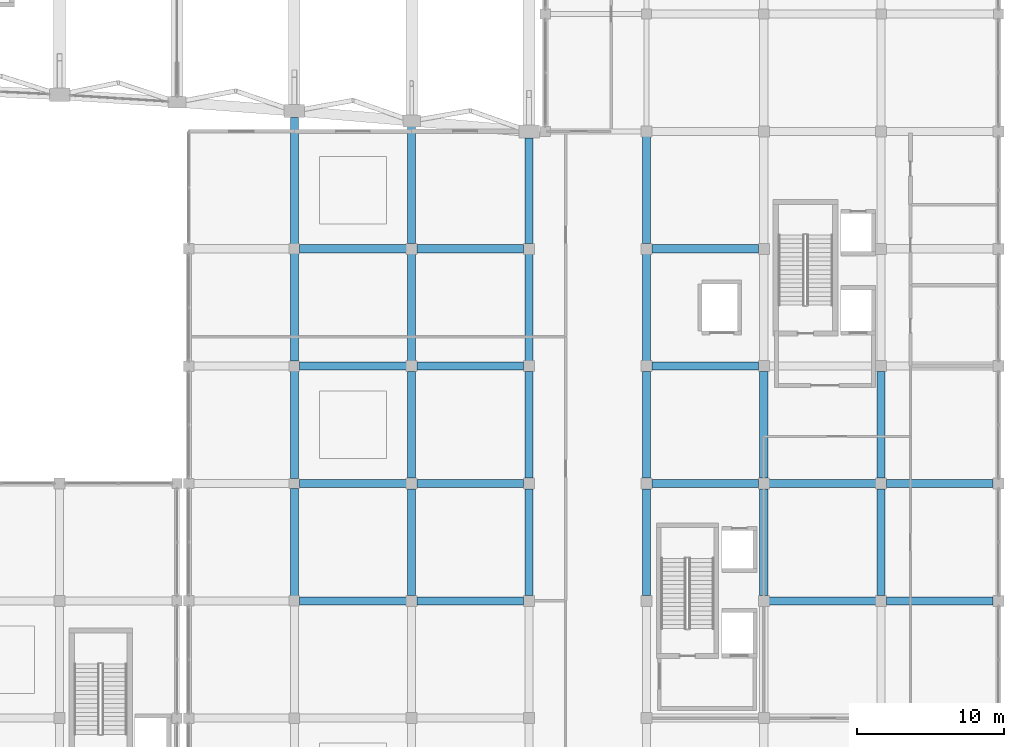
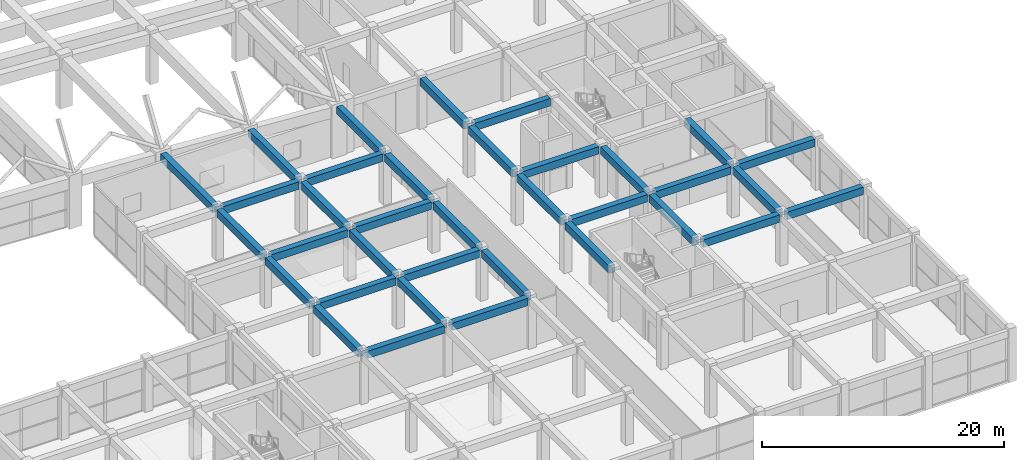
# One storey, part 35 of 69: 35 beams.
"""IFC4 building model written with IfcOpenShell, lengths in metres."""

import ifcopenshell
import ifcopenshell.guid

model = None  # the IFC model being written
_history = None  # IfcOwnerHistory: only IFC2X3 demands one
_inside = {}  # id of a spatial element -> (the spatial element, [elements in it])
_under = {}  # id of a project, library or spatial element -> (it, [spatial elements below it])
_declared = {}  # id of a project -> (the project, [libraries it declares])
_typed = {}  # id of a type object -> (the type object, [elements of that type])
_made_of = {}  # id of a material, layer set ... -> (it, [elements and type objects made of it])


def new_model(schema):
    """Start an empty IFC model of exactly this schema.

    Asked for "IFC4X3", IfcOpenShell would pick the latest addendum, in which some entities
    have other attributes; the version numbers below select the first issue.
    IFC2X3 requires an IfcOwnerHistory on every rooted entity: one is made here for all.
    """
    global model, _history
    if schema == "IFC4X3":
        model = ifcopenshell.file(schema_version=(4, 3, 0, 0))
    else:
        model = ifcopenshell.file(schema=schema)
    _inside.clear()
    _under.clear()
    _declared.clear()
    _typed.clear()
    _made_of.clear()
    _history = None
    if model.schema == "IFC2X3":
        org = make("IfcOrganization", Name="unknown")
        user = make(
            "IfcPersonAndOrganization",
            ThePerson=make("IfcPerson", FamilyName="unknown"),
            TheOrganization=org,
        )
        app = make(
            "IfcApplication",
            ApplicationDeveloper=org,
            Version="unknown",
            ApplicationFullName="unknown",
            ApplicationIdentifier="unknown",
        )
        _history = make(
            "IfcOwnerHistory",
            OwningUser=user,
            OwningApplication=app,
            ChangeAction="ADDED",
            CreationDate=0,
        )
    return model


def make(cls, **values):
    """One entity of the class cls with the attributes given. An attribute that is None is left unset."""
    return model.create_entity(
        cls, **{name: value for name, value in values.items() if value is not None}
    )


def rooted(cls, **values):
    """An entity with a GlobalId (a new one), such as an element, a storey or a relation."""
    return make(cls, GlobalId=ifcopenshell.guid.new(), OwnerHistory=_history, **values)


def si_unit(unit_type, name, prefix=None):
    """IfcSIUnit, for example si_unit("LENGTHUNIT", "METRE", prefix="MILLI")."""
    return make("IfcSIUnit", UnitType=unit_type, Prefix=prefix, Name=name)


def assignment(units):
    """IfcUnitAssignment: the units of a project."""
    return None if units is None else make("IfcUnitAssignment", Units=units)


def point(xyz):
    """IfcCartesianPoint."""
    return None if xyz is None else make("IfcCartesianPoint", Coordinates=xyz)


def direction(xyz):
    """IfcDirection."""
    return None if xyz is None else make("IfcDirection", DirectionRatios=xyz)


def frame(location, z_axis=None, x_axis=None):
    """IfcAxis2Placement3D, a coordinate frame: its origin and axes. An axis left out is left unset."""
    return make(
        "IfcAxis2Placement3D",
        Location=point(location),
        Axis=direction(z_axis),
        RefDirection=direction(x_axis),
    )


def frame_2d(location, x_axis=None):
    """IfcAxis2Placement2D, a coordinate frame in the plane: its origin and x axis."""
    return make(
        "IfcAxis2Placement2D", Location=point(location), RefDirection=direction(x_axis)
    )


def origin():
    """The frame at (0, 0, 0) with its axes left unset."""
    return frame((0.0, 0.0, 0.0))


def origin_2d():
    """The frame at (0, 0) in the plane with its x axis left unset."""
    return frame_2d((0.0, 0.0))


def place(relative_to, where):
    """IfcLocalPlacement: puts the frame where relative to a parent placement (None: the world)."""
    return make(
        "IfcLocalPlacement", PlacementRelTo=relative_to, RelativePlacement=where
    )


def context(
    kind, dimensions, precision=None, world=None, true_north=None, identifier=None
):
    """IfcGeometricRepresentationContext, for example the 3D "Model" context."""
    return make(
        "IfcGeometricRepresentationContext",
        ContextIdentifier=identifier,
        ContextType=kind,
        CoordinateSpaceDimension=dimensions,
        Precision=precision,
        WorldCoordinateSystem=world,
        TrueNorth=true_north,
    )


def subcontext(parent, identifier, kind, view, scale=None):
    """IfcGeometricRepresentationSubContext, for example "Body" below "Model"."""
    return make(
        "IfcGeometricRepresentationSubContext",
        ContextIdentifier=identifier,
        ContextType=kind,
        ParentContext=parent,
        TargetScale=scale,
        TargetView=view,
    )


def project(units=None, contexts=None):
    """IfcProject with its units and contexts."""
    return rooted(
        "IfcProject",
        Name="project",
        RepresentationContexts=contexts,
        UnitsInContext=assignment(units),
    )


def spatial(cls, under=None, at=None, **own):
    """A site, building, storey or space (cls), placed at a placement, below another one or the project."""
    s = rooted(cls, ObjectPlacement=at, **own)
    if under is not None:
        _under.setdefault(under.id(), (under, []))[1].append(s)
    return s


def profile(cls, at=None, kind="AREA", **sizes):
    """A parametric profile (cls). Its sizes go by their IFC names, for example OverallWidth=200.0."""
    return make(cls, ProfileType=kind, Position=at, **sizes)


def rectangle(**sizes):
    """IfcRectangleProfileDef."""
    return profile("IfcRectangleProfileDef", **sizes)


def extrude(swept, where, along, depth):
    """IfcExtrudedAreaSolid: the profile swept, set in the frame where, extruded along a direction by depth."""
    return make(
        "IfcExtrudedAreaSolid",
        SweptArea=swept,
        Position=where,
        ExtrudedDirection=direction(along),
        Depth=depth,
    )


def shape(context_of_items, identifier, shape_type, items):
    """IfcShapeRepresentation: the items that make up one representation, for example the "Body"."""
    return make(
        "IfcShapeRepresentation",
        ContextOfItems=context_of_items,
        RepresentationIdentifier=identifier,
        RepresentationType=shape_type,
        Items=items,
    )


def material(Name=None, Category=None):
    """IfcMaterial."""
    return make("IfcMaterial", Name=Name, Category=Category)


def material_profile(
    of_material, cross_section, Name=None, Category=None, Priority=None
):
    """IfcMaterialProfile: a cross section and its material."""
    return make(
        "IfcMaterialProfile",
        Name=Name,
        Material=of_material,
        Profile=cross_section,
        Priority=Priority,
        Category=Category,
    )


def profile_set(profiles, Name=None, composite=None):
    """IfcMaterialProfileSet."""
    return make(
        "IfcMaterialProfileSet",
        Name=Name,
        MaterialProfiles=profiles,
        CompositeProfile=composite,
    )


def made_of(thing, what):
    """Note that an element or type object is made of a material, layer set ...; save() writes the relation."""
    if what is not None:
        _made_of.setdefault(what.id(), (what, []))[1].append(thing)
    return thing


def type_object(cls, material=None, **own):
    """A type object (cls), such as IfcWallType, which elements share."""
    return made_of(rooted(cls, **own), material)


def element(
    cls,
    number,
    at=None,
    inside=None,
    cuts=None,
    type_object=None,
    material=None,
    context=None,
    identifier="Body",
    shape_type=None,
    held_by="IfcProductDefinitionShape",
    body=None,
    shapes=None,
    **own,
):
    """One element of the class cls, such as IfcWall. Its Tag is "e" and its number.

    at: its placement. inside: the storey or other place that contains it. cuts: it is an
    opening in that element (IfcRelVoidsElement). A single representation is given by context,
    identifier, shape_type and body (its items); several are given by shapes. held_by: the class
    of the entity that holds the representations. save() writes the other relations.
    """
    e = rooted(cls, Tag="e%d" % number, ObjectPlacement=at, **own)
    if body is not None:
        shapes = [shape(context, identifier, shape_type, body)]
    if shapes is not None:
        e.Representation = make(held_by, Representations=shapes)
    if inside is not None:
        _inside.setdefault(inside.id(), (inside, []))[1].append(e)
    if cuts is not None:
        rooted(
            "IfcRelVoidsElement", RelatingBuildingElement=cuts, RelatedOpeningElement=e
        )
    if type_object is not None:
        _typed.setdefault(type_object.id(), (type_object, []))[1].append(e)
    return made_of(e, material)


def aggregate(whole, parts):
    """IfcRelAggregates: a whole, such as a stair, and the parts it consists of."""
    return rooted("IfcRelAggregates", RelatingObject=whole, RelatedObjects=parts)


def save(model, path):
    """Write the relations noted so far, then the file.

    IfcRelAggregates (storeys below a building ...), IfcRelContainedInSpatialStructure (elements
    in a storey), IfcRelDefinesByType, IfcRelAssociatesMaterial and IfcRelDeclares: one each for
    every whole, place, type object, material and project.
    """
    for whole, parts in _under.values():
        aggregate(whole, parts)
    for where, things in _inside.values():
        rooted(
            "IfcRelContainedInSpatialStructure",
            RelatedElements=things,
            RelatingStructure=where,
        )
    for kind, things in _typed.values():
        rooted("IfcRelDefinesByType", RelatedObjects=things, RelatingType=kind)
    for what, things in _made_of.values():
        rooted("IfcRelAssociatesMaterial", RelatedObjects=things, RelatingMaterial=what)
    for by, libraries in _declared.values():
        rooted("IfcRelDeclares", RelatingContext=by, RelatedDefinitions=libraries)
    model.write(path)


model = new_model("IFC4")

# Units and contexts
model_context = context("Model", 3, precision=1e-05, world=origin(), true_north=direction((0.0, 1.0)))
body_context = subcontext(model_context, "Body", "Model", "MODEL_VIEW")
ifc_project = project(units=[si_unit("LENGTHUNIT", "METRE"), si_unit("AREAUNIT", "SQUARE_METRE"), si_unit("VOLUMEUNIT", "CUBIC_METRE"), si_unit("PLANEANGLEUNIT", "RADIAN"), si_unit("MASSUNIT", "GRAM", prefix="KILO")], contexts=[model_context])

# Site, building, storey
site_placement = place(None, origin())
site = spatial("IfcSite", under=ifc_project, at=site_placement, CompositionType="ELEMENT")
building_placement = place(site_placement, origin())
building = spatial("IfcBuilding", under=site, at=building_placement, Name="Kenh Van Central Station", CompositionType="ELEMENT")
storey_placement = place(building_placement, frame((0.0, 0.0, 5.39990234375)))
storey = spatial("IfcBuildingStorey", under=building, at=storey_placement, Name="L01", CompositionType="ELEMENT", Elevation=5.39990234375)

# Beams
ifc_material = material(Name="Concrete C35/45", Category="concrete")
ifc_material_profile = material_profile(ifc_material, rectangle(XDim=0.550048828125, YDim=0.75, at=origin_2d()), Name="RC 550x750")
ifc_profile_set = profile_set([ifc_material_profile], Name="Concrete C35/45")
beam_type = type_object("IfcBeamType", Name="BM-RC-550x750", PredefinedType="BEAM", material=ifc_profile_set)
beam_1_placement = place(storey_placement, frame((128.340087890625, 32.0, 4.76513671875), z_axis=(1.0, 0.0, 0.0), x_axis=(0.0, 1.0, 0.0)))
element("IfcBeam", 1, at=beam_1_placement, inside=storey, type_object=beam_type, Name="L01 beam 0683", PredefinedType="BEAM", context=body_context, shape_type="SweptSolid", body=[
    extrude(rectangle(XDim=0.550048828125, YDim=0.75, at=origin_2d()), origin(), (0.0, 0.0, 1.0), 7.294921875),
])
for number, where, z_axis, x_axis, name in (
    (2, (136.364990234375, 32.0, 4.76513671875), (1.0, 0.0, 0.0), (0.0, 1.0, 0.0), "L01 beam 0684"),
    (3, (160.364990234375, 32.0, 4.76513671875), (1.0, 0.0, 0.0), (0.0, 1.0, 0.0), "L01 beam 0685"),
    (4, (168.364990234375, 32.0, 4.76513671875), (1.0, 0.0, 0.0), (0.0, 1.0, 0.0), "L01 beam 0686"),
):
    element("IfcBeam", number, at=place(storey_placement, frame(where, z_axis=z_axis, x_axis=x_axis)), inside=storey, type_object=beam_type, Name=name, PredefinedType="BEAM", context=body_context, shape_type="SweptSolid", body=[
        extrude(rectangle(XDim=0.550048828125, YDim=0.75, at=origin_2d()), origin(), (0.0, 0.0, 1.0), 7.27001953125),
    ])
beam_2_placement = place(storey_placement, frame((128.340087890625, 40.0, 4.76513671875), z_axis=(1.0, 0.0, 0.0), x_axis=(0.0, 1.0, 0.0)))
element("IfcBeam", 5, at=beam_2_placement, inside=storey, type_object=beam_type, Name="L01 beam 0702", PredefinedType="BEAM", context=body_context, shape_type="SweptSolid", body=[
    extrude(rectangle(XDim=0.550048828125, YDim=0.75, at=origin_2d()), origin(), (0.0, 0.0, 1.0), 7.294921875),
])
for number, where, z_axis, x_axis, name in (
    (6, (136.364990234375, 40.0, 4.76513671875), (1.0, 0.0, 0.0), (0.0, 1.0, 0.0), "L01 beam 0703"),
    (7, (152.364990234375, 40.0, 4.76513671875), (1.0, 0.0, 0.0), (0.0, 1.0, 0.0), "L01 beam 0704"),
    (8, (160.364990234375, 40.0, 4.76513671875), (1.0, 0.0, 0.0), (0.0, 1.0, 0.0), "L01 beam 0705"),
    (9, (168.364990234375, 40.0, 4.76513671875), (1.0, 0.0, 0.0), (0.0, 1.0, 0.0), "L01 beam 0706"),
):
    element("IfcBeam", number, at=place(storey_placement, frame(where, z_axis=z_axis, x_axis=x_axis)), inside=storey, type_object=beam_type, Name=name, PredefinedType="BEAM", context=body_context, shape_type="SweptSolid", body=[
        extrude(rectangle(XDim=0.550048828125, YDim=0.75, at=origin_2d()), origin(), (0.0, 0.0, 1.0), 7.27001953125),
    ])
beam_3_placement = place(storey_placement, frame((128.340087890625, 48.0, 4.76513671875), z_axis=(1.0, 0.0, 0.0), x_axis=(0.0, 1.0, 0.0)))
element("IfcBeam", 10, at=beam_3_placement, inside=storey, type_object=beam_type, Name="L01 beam 0718", PredefinedType="BEAM", context=body_context, shape_type="SweptSolid", body=[
    extrude(rectangle(XDim=0.550048828125, YDim=0.75, at=origin_2d()), origin(), (0.0, 0.0, 1.0), 7.294921875),
])
for number, where, z_axis, x_axis, name in (
    (11, (136.364990234375, 48.0, 4.76513671875), (1.0, 0.0, 0.0), (0.0, 1.0, 0.0), "L01 beam 0719"),
    (12, (152.364990234375, 48.0, 4.76513671875), (1.0, 0.0, 0.0), (0.0, 1.0, 0.0), "L01 beam 0720"),
):
    element("IfcBeam", number, at=place(storey_placement, frame(where, z_axis=z_axis, x_axis=x_axis)), inside=storey, type_object=beam_type, Name=name, PredefinedType="BEAM", context=body_context, shape_type="SweptSolid", body=[
        extrude(rectangle(XDim=0.550048828125, YDim=0.75, at=origin_2d()), origin(), (0.0, 0.0, 1.0), 7.27001953125),
    ])
beam_4_placement = place(storey_placement, frame((128.340087890625, 56.0, 4.76513671875), z_axis=(1.0, 0.0, 0.0), x_axis=(0.0, 1.0, 0.0)))
element("IfcBeam", 13, at=beam_4_placement, inside=storey, type_object=beam_type, Name="L01 beam 0733", PredefinedType="BEAM", context=body_context, shape_type="SweptSolid", body=[
    extrude(rectangle(XDim=0.550048828125, YDim=0.75, at=origin_2d()), origin(), (0.0, 0.0, 1.0), 7.294921875),
])
for number, where, z_axis, x_axis, name in (
    (14, (136.364990234375, 56.0, 4.76513671875), (1.0, 0.0, 0.0), (0.0, 1.0, 0.0), "L01 beam 0734"),
    (15, (152.364990234375, 56.0, 4.76513671875), (1.0, 0.0, 0.0), (0.0, 1.0, 0.0), "L01 beam 0735"),
):
    element("IfcBeam", number, at=place(storey_placement, frame(where, z_axis=z_axis, x_axis=x_axis)), inside=storey, type_object=beam_type, Name=name, PredefinedType="BEAM", context=body_context, shape_type="SweptSolid", body=[
        extrude(rectangle(XDim=0.550048828125, YDim=0.75, at=origin_2d()), origin(), (0.0, 0.0, 1.0), 7.27001953125),
    ])
for number, where, z_axis, x_axis, name in (
    (16, (128.0, 32.340087890625, 4.76513671875), (0.0, 1.0, 0.0), (-1.0, 0.0, 0.0), "L01 beam 0851"),
    (17, (128.0, 40.340087890625, 4.76513671875), (0.0, 1.0, 0.0), (-1.0, 0.0, 0.0), "L01 beam 0852"),
    (18, (128.0, 48.340087890625, 4.76513671875), (0.0, 1.0, 0.0), (-1.0, 0.0, 0.0), "L01 beam 0853"),
):
    element("IfcBeam", number, at=place(storey_placement, frame(where, z_axis=z_axis, x_axis=x_axis)), inside=storey, type_object=beam_type, Name=name, PredefinedType="BEAM", context=body_context, shape_type="SweptSolid", body=[
        extrude(rectangle(XDim=0.550048828125, YDim=0.75, at=origin_2d()), origin(), (0.0, 0.0, 1.0), 7.31982421875),
    ])
beam_5_placement = place(storey_placement, frame((128.0, 56.340087890625, 4.76513671875), z_axis=(0.0, 1.0, 0.0), x_axis=(-1.0, 0.0, 0.0)))
element("IfcBeam", 19, at=beam_5_placement, inside=storey, type_object=beam_type, Name="L01 beam 0854", PredefinedType="BEAM", context=body_context, shape_type="SweptSolid", body=[
    extrude(rectangle(XDim=0.550048828125, YDim=0.75, at=origin_2d()), origin(), (0.0, 0.0, 1.0), 8.6083984375),
])
for number, where, z_axis, x_axis, name in (
    (20, (136.0, 32.364990234375, 4.76513671875), (0.0, 1.0, 0.0), (-1.0, 0.0, 0.0), "L01 beam 0858"),
    (21, (136.0, 40.364990234375, 4.76513671875), (0.0, 1.0, 0.0), (-1.0, 0.0, 0.0), "L01 beam 0859"),
    (22, (136.0, 48.364990234375, 4.76513671875), (0.0, 1.0, 0.0), (-1.0, 0.0, 0.0), "L01 beam 0860"),
):
    element("IfcBeam", number, at=place(storey_placement, frame(where, z_axis=z_axis, x_axis=x_axis)), inside=storey, type_object=beam_type, Name=name, PredefinedType="BEAM", context=body_context, shape_type="SweptSolid", body=[
        extrude(rectangle(XDim=0.550048828125, YDim=0.75, at=origin_2d()), origin(), (0.0, 0.0, 1.0), 7.27001953125),
    ])
beam_6_placement = place(storey_placement, frame((136.0, 56.364990234375, 4.76513671875), z_axis=(0.0, 1.0, 0.0), x_axis=(-1.0, 0.0, 0.0)))
element("IfcBeam", 23, at=beam_6_placement, inside=storey, type_object=beam_type, Name="L01 beam 0861", PredefinedType="BEAM", context=body_context, shape_type="SweptSolid", body=[
    extrude(rectangle(XDim=0.550048828125, YDim=0.75, at=origin_2d()), origin(), (0.0, 0.0, 1.0), 7.95703125),
])
for number, where, z_axis, x_axis, name in (
    (24, (144.0, 32.364990234375, 4.76513671875), (0.0, 1.0, 0.0), (-1.0, 0.0, 0.0), "L01 beam 0865"),
    (25, (144.0, 40.364990234375, 4.76513671875), (0.0, 1.0, 0.0), (-1.0, 0.0, 0.0), "L01 beam 0866"),
    (26, (144.0, 48.364990234375, 4.76513671875), (0.0, 1.0, 0.0), (-1.0, 0.0, 0.0), "L01 beam 0867"),
):
    element("IfcBeam", number, at=place(storey_placement, frame(where, z_axis=z_axis, x_axis=x_axis)), inside=storey, type_object=beam_type, Name=name, PredefinedType="BEAM", context=body_context, shape_type="SweptSolid", body=[
        extrude(rectangle(XDim=0.550048828125, YDim=0.75, at=origin_2d()), origin(), (0.0, 0.0, 1.0), 7.27001953125),
    ])
beam_7_placement = place(storey_placement, frame((144.0, 56.364990234375, 4.76513671875), z_axis=(0.0, 1.0, 0.0), x_axis=(-1.0, 0.0, 0.0)))
element("IfcBeam", 27, at=beam_7_placement, inside=storey, type_object=beam_type, Name="L01 beam 0868", PredefinedType="BEAM", context=body_context, shape_type="SweptSolid", body=[
    extrude(rectangle(XDim=0.550048828125, YDim=0.75, at=origin_2d()), origin(), (0.0, 0.0, 1.0), 7.195068359375),
])
for number, where, z_axis, x_axis, name in (
    (28, (152.0, 32.364990234375, 4.76513671875), (0.0, 1.0, 0.0), (-1.0, 0.0, 0.0), "L01 beam 0875"),
    (29, (152.0, 40.364990234375, 4.76513671875), (0.0, 1.0, 0.0), (-1.0, 0.0, 0.0), "L01 beam 0876"),
    (30, (152.0, 48.364990234375, 4.76513671875), (0.0, 1.0, 0.0), (-1.0, 0.0, 0.0), "L01 beam 0877"),
    (31, (152.0, 56.364990234375, 4.76513671875), (0.0, 1.0, 0.0), (-1.0, 0.0, 0.0), "L01 beam 0878"),
    (32, (160.0, 32.364990234375, 4.76513671875), (0.0, 1.0, 0.0), (-1.0, 0.0, 0.0), "L01 beam 0885"),
    (33, (160.0, 40.364990234375, 4.76513671875), (0.0, 1.0, 0.0), (-1.0, 0.0, 0.0), "L01 beam 0886"),
    (34, (168.0, 32.364990234375, 4.76513671875), (0.0, 1.0, 0.0), (-1.0, 0.0, 0.0), "L01 beam 0895"),
    (35, (168.0, 40.364990234375, 4.76513671875), (0.0, 1.0, 0.0), (-1.0, 0.0, 0.0), "L01 beam 0896"),
):
    element("IfcBeam", number, at=place(storey_placement, frame(where, z_axis=z_axis, x_axis=x_axis)), inside=storey, type_object=beam_type, Name=name, PredefinedType="BEAM", context=body_context, shape_type="SweptSolid", body=[
        extrude(rectangle(XDim=0.550048828125, YDim=0.75, at=origin_2d()), origin(), (0.0, 0.0, 1.0), 7.27001953125),
    ])

save(model, "model.ifc")
